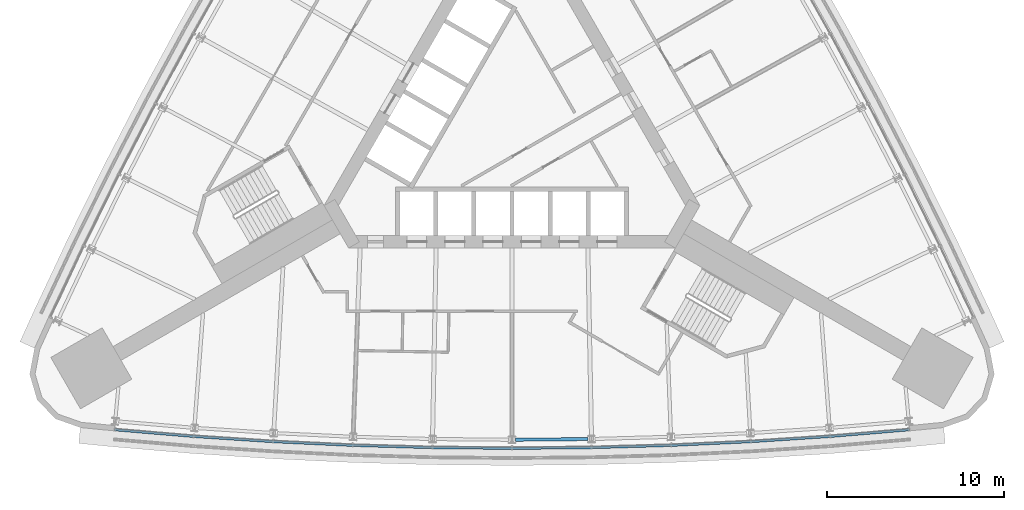
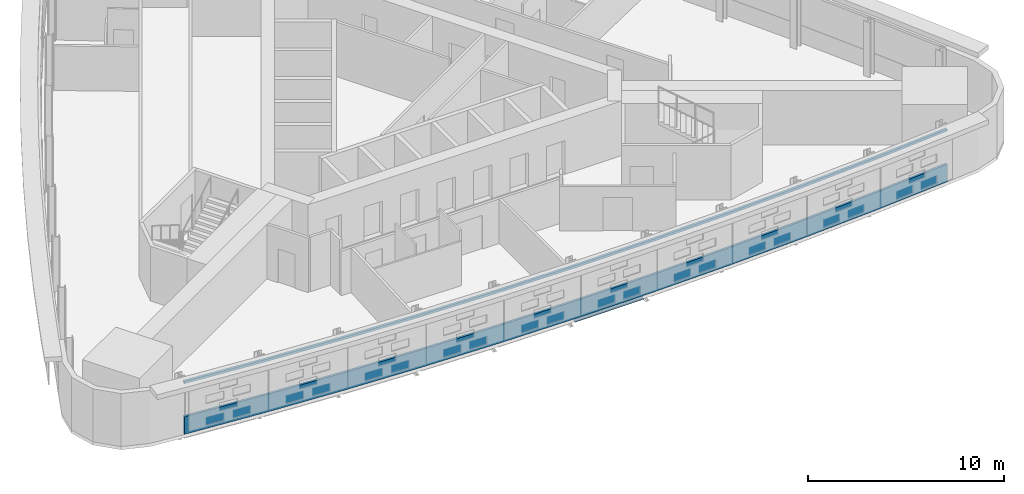
# One storey, part 3 of 14: 2 members, 1 beam, 1 element without a shape of its own.
"""IFC4 building model written with IfcOpenShell, lengths in metres."""

from ifc_helpers import new_model, si_unit, direction, frame, origin, origin_2d, place, context, subcontext, project, spatial, polyline, i_section, outline, extrude, material, material_profile, profile_set, type_object, element, aggregate, save


model = new_model("IFC4")

# Units and contexts
model_context = context("Model", 3, precision=1e-05, world=origin(), true_north=direction((0.0, 1.0)))
body_context = subcontext(model_context, "Body", "Model", "MODEL_VIEW")
ifc_project = project(units=[si_unit("LENGTHUNIT", "METRE"), si_unit("AREAUNIT", "SQUARE_METRE"), si_unit("VOLUMEUNIT", "CUBIC_METRE"), si_unit("PLANEANGLEUNIT", "RADIAN"), si_unit("MASSUNIT", "GRAM", prefix="KILO")], contexts=[model_context])

# Site, building, storey
site_placement = place(None, origin())
site = spatial("IfcSite", under=ifc_project, at=site_placement, CompositionType="ELEMENT")
building_placement = place(site_placement, origin())
building = spatial("IfcBuilding", under=site, at=building_placement, Name="Noor Cloister Tower", CompositionType="ELEMENT")
storey_placement = place(building_placement, frame((0.0, 0.0, 38.39990234375)))
storey = spatial("IfcBuildingStorey", under=building, at=storey_placement, Name="L09", CompositionType="ELEMENT", Elevation=38.39990234375)

# Curtain wall, members
ifc_material_1 = material(Name="Aluminium 6063-T6 anodised", Category="aluminium")
curtain_wall_type = type_object("IfcCurtainWallType", Name="Ribbon curtain wall, lower tower CW1", PredefinedType="NOTDEFINED", material=ifc_material_1)
curtain_wall_placement = place(storey_placement, origin())
curtain_wall = element("IfcCurtainWall", 1, at=curtain_wall_placement, inside=storey, type_object=curtain_wall_type, Name="CW1 L09 S run 2", PredefinedType="NOTDEFINED")
ifc_material_2 = material(Name="Aluminium 6063-T6 anodised", Category="aluminium")
member_type_1 = type_object("IfcMemberType", Name="Head transom CW1 150", PredefinedType="USERDEFINED", material=ifc_material_2)
member_1_placement = place(storey_placement, frame((0.0, 0.0, 3.150146484375)))
member_1 = element("IfcMember", 2, at=member_1_placement, type_object=member_type_1, Name="CW1 head transom", ObjectType="TRANSOM", PredefinedType="USERDEFINED", context=body_context, shape_type="SweptSolid", body=[
    extrude(outline(polyline([(-22.467041015625, -17.254150390625), (-17.983154296875, -17.633056640625), (-13.492919921875, -17.927734375), (-8.997802734375, -18.13818359375), (-4.499755859375, -18.2646484375), (0.0, -18.306884765625), (4.499755859375, -18.2646484375), (8.997802734375, -18.13818359375), (13.492919921875, -17.927734375), (17.983154296875, -17.633056640625), (22.467041015625, -17.254150390625), (22.455322265625, -17.11474609375), (17.97265625, -17.493408203125), (13.485107421875, -17.787841796875), (8.99267578125, -17.998291015625), (4.4970703125, -18.124755859375), (0.0, -18.166748046875), (-4.4970703125, -18.124755859375), (-8.99267578125, -17.998291015625), (-13.485107421875, -17.787841796875), (-17.97265625, -17.493408203125), (-22.455322265625, -17.11474609375), (-22.467041015625, -17.254150390625)])), origin(), (0.0, 0.0, 1.0), 0.14990234375),
])
ifc_material_3 = material(Name="Aluminium 6063-T6 anodised", Category="aluminium")
member_type_2 = type_object("IfcMemberType", Name="Sill transom CW1 1100", PredefinedType="USERDEFINED", material=ifc_material_3)
member_2_placement = place(storey_placement, origin())
member_2 = element("IfcMember", 3, at=member_2_placement, type_object=member_type_2, Name="CW1 sill transom", ObjectType="TRANSOM", PredefinedType="USERDEFINED", context=body_context, shape_type="SweptSolid", body=[
    extrude(outline(polyline([(-22.467041015625, -17.254150390625), (-17.983154296875, -17.633056640625), (-13.492919921875, -17.927734375), (-8.997802734375, -18.13818359375), (-4.499755859375, -18.2646484375), (0.0, -18.306884765625), (4.499755859375, -18.2646484375), (8.997802734375, -18.13818359375), (13.492919921875, -17.927734375), (17.983154296875, -17.633056640625), (22.467041015625, -17.254150390625), (22.455322265625, -17.11474609375), (17.97265625, -17.493408203125), (13.485107421875, -17.787841796875), (8.99267578125, -17.998291015625), (4.4970703125, -18.124755859375), (0.0, -18.166748046875), (-4.4970703125, -18.124755859375), (-8.99267578125, -17.998291015625), (-13.485107421875, -17.787841796875), (-17.97265625, -17.493408203125), (-22.455322265625, -17.11474609375), (-22.467041015625, -17.254150390625)])), origin(), (0.0, 0.0, 1.0), 1.10009765625),
])
aggregate(curtain_wall, [member_2, member_1])

# Beam
ifc_material_4 = material(Name="Steel ASTM A992 Gr 50", Category="steel")
ifc_material_profile = material_profile(ifc_material_4, i_section(OverallWidth=0.177978515625, OverallDepth=0.406005859375, WebThickness=0.0078125, FlangeThickness=0.0126953125, FilletRadius=0.01025390625, at=origin_2d()), Name="W410x60")
ifc_profile_set = profile_set([ifc_material_profile], Name="Steel ASTM A992 Gr 50")
beam_type = type_object("IfcBeamType", Name="Spandrel beam W410x60", PredefinedType="SPANDREL", material=ifc_profile_set)
beam_placement = place(storey_placement, frame((0.201904296875, -17.7548828125, -0.40283203125), z_axis=(0.99995599104, 0.009381683435, 0.0), x_axis=(-0.009381683435, 0.99995599104, 0.0)))
element("IfcBeam", 4, at=beam_placement, inside=storey, type_object=beam_type, Name="Spandrel beam S 06 L09", PredefinedType="SPANDREL", context=body_context, shape_type="SweptSolid", body=[
    extrude(i_section(OverallWidth=0.177978515625, OverallDepth=0.406005859375, WebThickness=0.0078125, FlangeThickness=0.0126953125, FilletRadius=0.01025390625, at=origin_2d()), origin(), (0.0, 0.0, 1.0), 4.085693359375),
])

save(model, "model.ifc")
